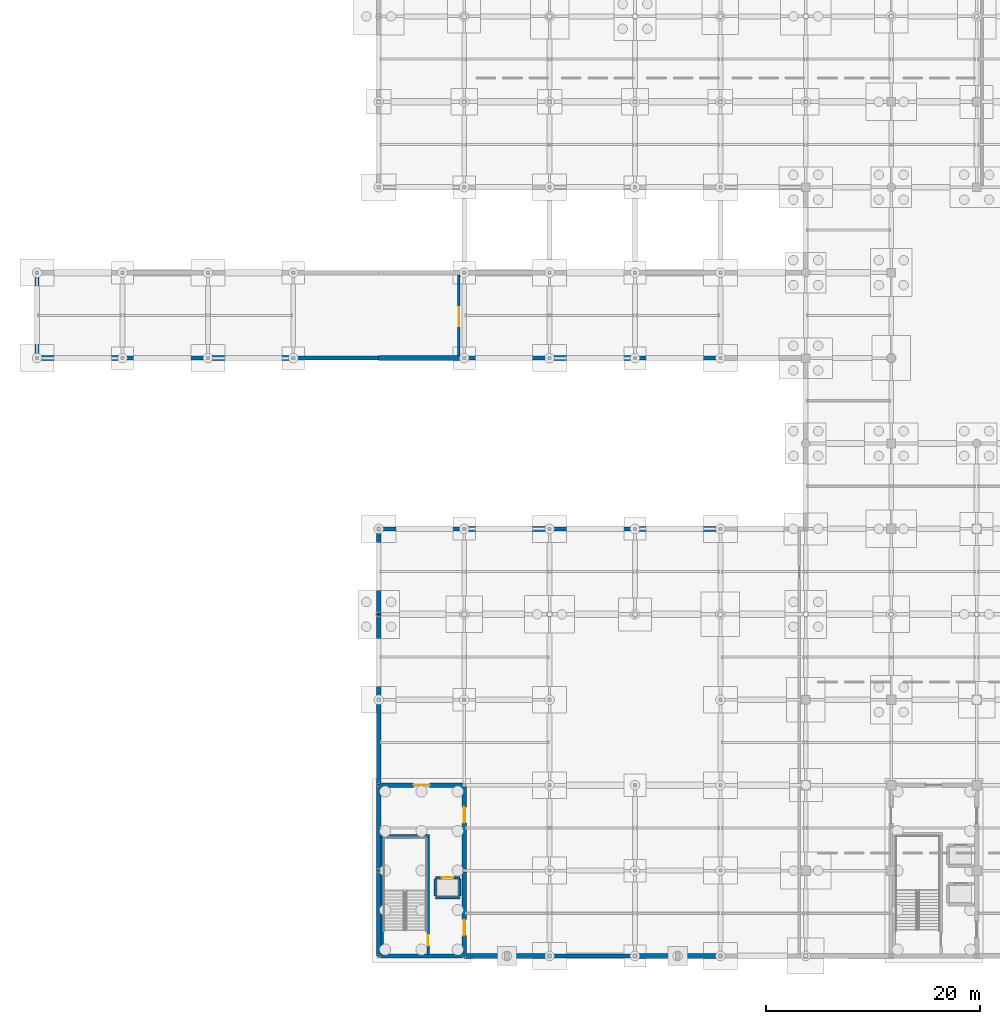
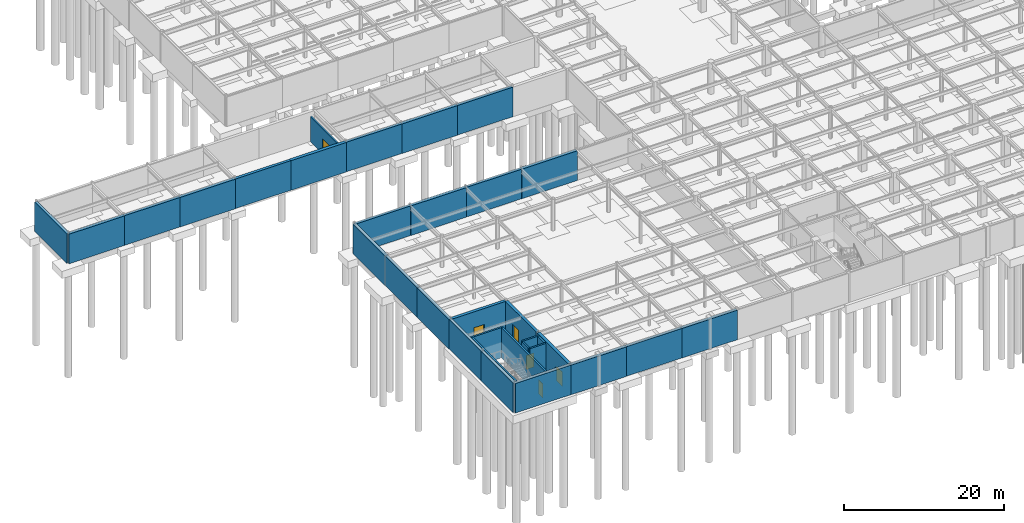
# One storey, part 56 of 105: 33 walls, 6 doors, 6 openings.
"""IFC4 building model written with IfcOpenShell, lengths in metres."""

from ifc_helpers import new_model, si_unit, direction, frame, frame_2d, origin, place, context, subcontext, project, spatial, rectangle, extrude, material, layer, layer_set, type_object, element, fill, save


model = new_model("IFC4")

# Units and contexts
model_context = context("Model", 3, precision=1e-05, world=origin(), true_north=direction((0.0, 1.0)))
body_context = subcontext(model_context, "Body", "Model", "MODEL_VIEW")
ifc_project = project(units=[si_unit("LENGTHUNIT", "METRE"), si_unit("AREAUNIT", "SQUARE_METRE"), si_unit("VOLUMEUNIT", "CUBIC_METRE"), si_unit("PLANEANGLEUNIT", "RADIAN"), si_unit("MASSUNIT", "GRAM", prefix="KILO")], contexts=[model_context])

# Site, building, storey
site_placement = place(None, origin())
site = spatial("IfcSite", under=ifc_project, at=site_placement, CompositionType="ELEMENT")
building_placement = place(site_placement, origin())
building = spatial("IfcBuilding", under=site, at=building_placement, Name="Solmirada Galleria", CompositionType="ELEMENT")
storey_placement = place(building_placement, frame((0.0, 0.0, -4.800048828125)))
storey = spatial("IfcBuildingStorey", under=building, at=storey_placement, Name="B1", CompositionType="ELEMENT", Elevation=-4.800048828125)

# Wall, opening, door
ifc_material_1 = material(Name="Concrete C40/50", Category="concrete")
ifc_layer_1 = layer(ifc_material_1, 0.419921875)
ifc_layer_set_1 = layer_set([ifc_layer_1], Name="Concrete C40/50")
wall_type_1 = type_object("IfcWallType", Name="WL-CORE-420", PredefinedType="SHEAR", material=ifc_layer_set_1)
wall_1_placement = place(storey_placement, frame((40.152587890625, 16.0, 0.0), z_axis=(0.0, 0.0, 1.0), x_axis=(1.0, 0.0, 0.0)))
wall_1 = element("IfcWall", 1, at=wall_1_placement, inside=storey, type_object=wall_type_1, Name="Core C5 shear wall B1 N1", PredefinedType="SHEAR", context=body_context, shape_type="SweptSolid", body=[
    extrude(rectangle(XDim=7.720458984375, YDim=0.419921875, at=frame_2d((3.8603515625, 0.0))), origin(), (0.0, 0.0, 1.0), 4.580078125),
])
opening_1_placement = place(wall_1_placement, frame((3.110107421875, 0.0, 0.0)))
opening_1 = element("IfcOpeningElement", 2, at=opening_1_placement, cuts=wall_1, Name="Opening LDY-224", PredefinedType="OPENING", context=body_context, shape_type="SweptSolid", body=[
    extrude(rectangle(XDim=1.5, YDim=2.14990234375, at=frame_2d((0.75, 1.074951171875))), frame((0.0, 0.219970703125, 0.0), z_axis=(0.0, -1.0, 0.0), x_axis=(1.0, 0.0, 0.0)), (0.0, 0.0, 1.0), 0.43994140625),
])
ifc_material_2 = material(Name="Fire-rated painted steel door assembly", Category="steel")
door_type_1 = type_object("IfcDoorType", Name="DR-LOBBY-150X215", OperationType="DOUBLE_DOOR_SINGLE_SWING", PredefinedType="DOOR", material=ifc_material_2)
door_1_placement = place(opening_1_placement, origin())
door_1 = element("IfcDoor", 3, at=door_1_placement, inside=storey, type_object=door_type_1, Name="Core C5 lobby access fire door LDY-224", OperationType="DOUBLE_DOOR_SINGLE_SWING", OverallHeight=2.14990234375, OverallWidth=1.5, PredefinedType="DOOR", context=body_context, shape_type="SweptSolid", body=[
    extrude(rectangle(XDim=1.5, YDim=2.14990234375, at=frame_2d((0.75, 1.074951171875))), frame((0.0, 0.02490234375, 0.0), z_axis=(0.0, -1.0, 0.0), x_axis=(1.0, 0.0, 0.0)), (0.0, 0.0, 1.0), 0.050048828125),
])
fill(opening_1, door_1)

wall_2_placement = place(storey_placement, frame((48.0, 0.152587890625, 0.0), z_axis=(0.0, 0.0, 1.0), x_axis=(0.0, 1.0, 0.0)))
wall_2 = element("IfcWall", 4, at=wall_2_placement, inside=storey, type_object=wall_type_1, Name="Core C5 shear wall B1 E1", PredefinedType="SHEAR", context=body_context, shape_type="SweptSolid", body=[
    extrude(rectangle(XDim=7.720458984375, YDim=0.419921875, at=frame_2d((3.8603515625, 0.0))), origin(), (0.0, 0.0, 1.0), 4.580078125),
])
opening_2_placement = place(wall_2_placement, frame((1.7490234375, 0.0, 0.0)))
opening_2 = element("IfcOpeningElement", 5, at=opening_2_placement, cuts=wall_2, Name="Opening LDY-225", PredefinedType="OPENING", context=body_context, shape_type="SweptSolid", body=[
    extrude(rectangle(XDim=1.5, YDim=2.14990234375, at=frame_2d((0.75, 1.074951171875))), frame((0.0, 0.219970703125, 0.0), z_axis=(0.0, -1.0, 0.0), x_axis=(1.0, 0.0, 0.0)), (0.0, 0.0, 1.0), 0.43994140625),
])
door_2_placement = place(opening_2_placement, origin())
door_2 = element("IfcDoor", 6, at=door_2_placement, inside=storey, type_object=door_type_1, Name="Core C5 lobby access fire door LDY-225", OperationType="DOUBLE_DOOR_SINGLE_SWING", OverallHeight=2.14990234375, OverallWidth=1.5, PredefinedType="DOOR", context=body_context, shape_type="SweptSolid", body=[
    extrude(rectangle(XDim=1.5, YDim=2.14990234375, at=frame_2d((0.75, 1.074951171875))), frame((0.0, 0.02490234375, 0.0), z_axis=(0.0, -1.0, 0.0), x_axis=(1.0, 0.0, 0.0)), (0.0, 0.0, 1.0), 0.050048828125),
])
fill(opening_2, door_2)

wall_3_placement = place(storey_placement, frame((48.0, 8.126953125, 0.0), z_axis=(0.0, 0.0, 1.0), x_axis=(0.0, 1.0, 0.0)))
wall_3 = element("IfcWall", 7, at=wall_3_placement, inside=storey, type_object=wall_type_1, Name="Core C5 shear wall B1 E2", PredefinedType="SHEAR", context=body_context, shape_type="SweptSolid", body=[
    extrude(rectangle(XDim=7.74609375, YDim=0.419921875, at=frame_2d((3.873046875, 0.0))), origin(), (0.0, 0.0, 1.0), 4.580078125),
])
opening_3_placement = place(wall_3_placement, frame((4.3349609375, 0.0, 0.0)))
opening_3 = element("IfcOpeningElement", 8, at=opening_3_placement, cuts=wall_3, Name="Opening LDY-226", PredefinedType="OPENING", context=body_context, shape_type="SweptSolid", body=[
    extrude(rectangle(XDim=1.5, YDim=2.14990234375, at=frame_2d((0.75, 1.074951171875))), frame((0.0, 0.219970703125, 0.0), z_axis=(0.0, -1.0, 0.0), x_axis=(1.0, 0.0, 0.0)), (0.0, 0.0, 1.0), 0.43994140625),
])
door_3_placement = place(opening_3_placement, origin())
door_3 = element("IfcDoor", 9, at=door_3_placement, inside=storey, type_object=door_type_1, Name="Core C5 lobby access fire door LDY-226", OperationType="DOUBLE_DOOR_SINGLE_SWING", OverallHeight=2.14990234375, OverallWidth=1.5, PredefinedType="DOOR", context=body_context, shape_type="SweptSolid", body=[
    extrude(rectangle(XDim=1.5, YDim=2.14990234375, at=frame_2d((0.75, 1.074951171875))), frame((0.0, 0.02490234375, 0.0), z_axis=(0.0, -1.0, 0.0), x_axis=(1.0, 0.0, 0.0)), (0.0, 0.0, 1.0), 0.050048828125),
])
fill(opening_3, door_3)

ifc_layer_2 = layer(ifc_material_1, 0.239990234375)
ifc_layer_set_2 = layer_set([ifc_layer_2], Name="Concrete C40/50")
wall_type_2 = type_object("IfcWallType", Name="WL-HOIST-240", PredefinedType="PARTITIONING", material=ifc_layer_set_2)
wall_4_placement = place(storey_placement, frame((45.294921875, 7.330078125, 0.0), z_axis=(0.0, 0.0, 1.0), x_axis=(1.0, 0.0, 0.0)))
wall_4 = element("IfcWall", 10, at=wall_4_placement, inside=storey, type_object=wall_type_2, Name="Lift LP5 hoistway front wall B1", PredefinedType="PARTITIONING", context=body_context, shape_type="SweptSolid", body=[
    extrude(rectangle(XDim=2.31005859375, YDim=0.239990234375, at=frame_2d((1.155029296875, 0.0))), origin(), (0.0, 0.0, 1.0), 4.580078125),
])
opening_4_placement = place(wall_4_placement, frame((0.60498046875, 0.0, 0.0)))
opening_4 = element("IfcOpeningElement", 11, at=opening_4_placement, cuts=wall_4, Name="Opening LD-LP5-B1", PredefinedType="OPENING", context=body_context, shape_type="SweptSolid", body=[
    extrude(rectangle(XDim=1.10009765625, YDim=2.14990234375, at=frame_2d((0.550048828125, 1.074951171875))), frame((0.0, 0.1298828125, 0.0), z_axis=(0.0, -1.0, 0.0), x_axis=(1.0, 0.0, 0.0)), (0.0, 0.0, 1.0), 0.260009765625),
])
ifc_material_3 = material(Name="Brushed stainless-steel sliding landing door", Category="steel")
door_type_2 = type_object("IfcDoorType", Name="DR-LIFT-110X215", OperationType="SLIDING_TO_LEFT", PredefinedType="DOOR", material=ifc_material_3)
door_4_placement = place(opening_4_placement, origin())
door_4 = element("IfcDoor", 12, at=door_4_placement, inside=storey, type_object=door_type_2, Name="Lift LP5 sliding landing door B1", OperationType="SLIDING_TO_LEFT", OverallHeight=2.14990234375, OverallWidth=1.10009765625, PredefinedType="DOOR", context=body_context, shape_type="SweptSolid", body=[
    extrude(rectangle(XDim=1.10009765625, YDim=2.14990234375, at=frame_2d((0.550048828125, 1.074951171875))), frame((0.0, 0.02490234375, 0.0), z_axis=(0.0, -1.0, 0.0), x_axis=(1.0, 0.0, 0.0)), (0.0, 0.0, 1.0), 0.050048828125),
])
fill(opening_4, door_4)

# Walls
wall_5_placement = place(storey_placement, frame((45.294921875, 5.469970703125, 0.0), z_axis=(0.0, 0.0, 1.0), x_axis=(1.0, 0.0, 0.0)))
element("IfcWall", 13, at=wall_5_placement, inside=storey, type_object=wall_type_2, Name="Lift LP5 hoistway rear wall B1", PredefinedType="PARTITIONING", context=body_context, shape_type="SweptSolid", body=[
    extrude(rectangle(XDim=2.31005859375, YDim=0.239990234375, at=frame_2d((1.155029296875, 0.0))), origin(), (0.0, 0.0, 1.0), 4.580078125),
])
for number, where, z_axis, x_axis, name in (
    (14, (45.294921875, 5.610107421875, 0.0), (0.0, 0.0, 1.0), (0.0, 1.0, 0.0), "Lift LP5 hoistway side wall L B1"),
    (15, (47.60498046875, 5.610107421875, 0.0), (0.0, 0.0, 1.0), (0.0, 1.0, 0.0), "Lift LP5 hoistway side wall R B1"),
):
    element("IfcWall", number, at=place(storey_placement, frame(where, z_axis=z_axis, x_axis=x_axis)), inside=storey, type_object=wall_type_2, Name=name, PredefinedType="PARTITIONING", context=body_context, shape_type="SweptSolid", body=[
        extrude(rectangle(XDim=1.579833984375, YDim=0.239990234375, at=frame_2d((0.7900390625, 0.0))), origin(), (0.0, 0.0, 1.0), 4.580078125),
    ])

# Wall, opening, door
ifc_material_4 = material(Name="Fire-rated gypsum and steel-stud partition", Category="steel")
ifc_layer_3 = layer(ifc_material_4, 0.219970703125)
ifc_layer_set_3 = layer_set([ifc_layer_3], Name="Fire-rated gypsum and steel-stud partition")
wall_type_3 = type_object("IfcWallType", Name="WL-PART-220", PredefinedType="PARTITIONING", material=ifc_layer_set_3)
wall_6_placement = place(storey_placement, frame((47.5, 56.199951171875, 0.0), z_axis=(0.0, 0.0, 1.0), x_axis=(0.0, 1.0, 0.0)))
wall_6 = element("IfcWall", 16, at=wall_6_placement, inside=storey, type_object=wall_type_3, Name="Partition B1-001 (West Service Stockroom)", PredefinedType="PARTITIONING", context=body_context, shape_type="SweptSolid", body=[
    extrude(rectangle(XDim=7.60009765625, YDim=0.219970703125, at=frame_2d((3.800048828125, 0.0))), origin(), (0.0, 0.0, 1.0), 3.780029296875),
])
opening_5_placement = place(wall_6_placement, frame((2.779052734375, 0.0, 0.0)))
opening_5 = element("IfcOpeningElement", 17, at=opening_5_placement, cuts=wall_6, Name="Opening ID-258", PredefinedType="OPENING", context=body_context, shape_type="SweptSolid", body=[
    extrude(rectangle(XDim=1.800048828125, YDim=2.25, at=frame_2d((0.89990234375, 1.125))), frame((0.0, 0.119873046875, 0.0), z_axis=(0.0, -1.0, 0.0), x_axis=(1.0, 0.0, 0.0)), (0.0, 0.0, 1.0), 0.239990234375),
])
door_type_3 = type_object("IfcDoorType", Name="DR-STOCK-180X225", OperationType="DOUBLE_DOOR_SINGLE_SWING", PredefinedType="DOOR", material=ifc_material_2)
door_5_placement = place(opening_5_placement, origin())
door_5 = element("IfcDoor", 18, at=door_5_placement, inside=storey, type_object=door_type_3, Name="West Service Stockroom door ID-258", OperationType="DOUBLE_DOOR_SINGLE_SWING", OverallHeight=2.25, OverallWidth=1.800048828125, PredefinedType="DOOR", context=body_context, shape_type="SweptSolid", body=[
    extrude(rectangle(XDim=1.800048828125, YDim=2.25, at=frame_2d((0.89990234375, 1.125))), frame((0.0, 0.02490234375, 0.0), z_axis=(0.0, -1.0, 0.0), x_axis=(1.0, 0.0, 0.0)), (0.0, 0.0, 1.0), 0.050048828125),
])
fill(opening_5, door_5)

# Walls
ifc_material_5 = material(Name="Concrete C35/45", Category="concrete")
ifc_layer_4 = layer(ifc_material_5, 0.39990234375)
ifc_layer_set_4 = layer_set([ifc_layer_4], Name="Concrete C35/45")
wall_type_4 = type_object("IfcWallType", Name="WL-RET-400", PredefinedType="USERDEFINED", material=ifc_layer_set_4)
for number, where, z_axis, x_axis, name in (
    (19, (64.0, 0.0, 0.0), (0.0, 0.0, 1.0), (-1.0, 0.0, 0.0), "Basement retaining wall 015"),
    (20, (48.0, 0.0, 0.0), (0.0, 0.0, 1.0), (-1.0, 0.0, 0.0), "Basement retaining wall 017"),
    (21, (40.0, 8.0, 0.0), (0.0, 0.0, 1.0), (0.0, 1.0, 0.0), "Basement retaining wall 019"),
    (22, (40.0, 24.0, 0.0), (0.0, 0.0, 1.0), (0.0, 1.0, 0.0), "Basement retaining wall 021"),
    (23, (40.0, 40.0, 0.0), (0.0, 0.0, 1.0), (1.0, 0.0, 0.0), "Basement retaining wall 023"),
    (24, (56.0, 40.0, 0.0), (0.0, 0.0, 1.0), (1.0, 0.0, 0.0), "Basement retaining wall 025"),
    (25, (72.0, 56.0, 0.0), (0.0, 0.0, 1.0), (-1.0, 0.0, 0.0), "Basement retaining wall 031"),
    (26, (56.0, 56.0, 0.0), (0.0, 0.0, 1.0), (-1.0, 0.0, 0.0), "Basement retaining wall 033"),
    (27, (40.0, 56.0, 0.0), (0.0, 0.0, 1.0), (-1.0, 0.0, 0.0), "Basement retaining wall 035"),
    (28, (24.0, 56.0, 0.0), (0.0, 0.0, 1.0), (-1.0, 0.0, 0.0), "Basement retaining wall 037"),
    (29, (8.0, 56.0, 0.0), (0.0, 0.0, 1.0), (0.0, 1.0, 0.0), "Basement retaining wall 039"),
):
    element("IfcWall", number, at=place(storey_placement, frame(where, z_axis=z_axis, x_axis=x_axis)), inside=storey, type_object=wall_type_4, Name=name, ObjectType="RETAININGWALL", PredefinedType="USERDEFINED", context=body_context, shape_type="SweptSolid", body=[
        extrude(rectangle(XDim=8.0, YDim=0.39990234375, at=frame_2d((4.0, 0.0))), origin(), (0.0, 0.0, 1.0), 4.5),
    ])
ifc_layer_5 = layer(ifc_material_5, 0.449951171875)
ifc_layer_set_5 = layer_set([ifc_layer_5], Name="Concrete C35/45")
wall_type_5 = type_object("IfcWallType", Name="WL-RET-450", PredefinedType="USERDEFINED", material=ifc_layer_set_5)
for number, where, z_axis, x_axis, name in (
    (30, (72.0, 0.0, 0.0), (0.0, 0.0, 1.0), (-1.0, 0.0, 0.0), "Basement retaining wall 014"),
    (31, (56.0, 0.0, 0.0), (0.0, 0.0, 1.0), (-1.0, 0.0, 0.0), "Basement retaining wall 016"),
    (32, (40.0, 0.0, 0.0), (0.0, 0.0, 1.0), (0.0, 1.0, 0.0), "Basement retaining wall 018"),
    (33, (40.0, 16.0, 0.0), (0.0, 0.0, 1.0), (0.0, 1.0, 0.0), "Basement retaining wall 020"),
    (34, (40.0, 32.0, 0.0), (0.0, 0.0, 1.0), (0.0, 1.0, 0.0), "Basement retaining wall 022"),
    (35, (48.0, 40.0, 0.0), (0.0, 0.0, 1.0), (1.0, 0.0, 0.0), "Basement retaining wall 024"),
    (36, (64.0, 40.0, 0.0), (0.0, 0.0, 1.0), (1.0, 0.0, 0.0), "Basement retaining wall 026"),
    (37, (64.0, 56.0, 0.0), (0.0, 0.0, 1.0), (-1.0, 0.0, 0.0), "Basement retaining wall 032"),
    (38, (48.0, 56.0, 0.0), (0.0, 0.0, 1.0), (-1.0, 0.0, 0.0), "Basement retaining wall 034"),
    (39, (32.0, 56.0, 0.0), (0.0, 0.0, 1.0), (-1.0, 0.0, 0.0), "Basement retaining wall 036"),
    (40, (16.0, 56.0, 0.0), (0.0, 0.0, 1.0), (-1.0, 0.0, 0.0), "Basement retaining wall 038"),
):
    element("IfcWall", number, at=place(storey_placement, frame(where, z_axis=z_axis, x_axis=x_axis)), inside=storey, type_object=wall_type_5, Name=name, ObjectType="RETAININGWALL", PredefinedType="USERDEFINED", context=body_context, shape_type="SweptSolid", body=[
        extrude(rectangle(XDim=8.0, YDim=0.449951171875, at=frame_2d((4.0, 0.0))), origin(), (0.0, 0.0, 1.0), 4.5),
    ])
ifc_layer_6 = layer(ifc_material_1, 0.260009765625)
ifc_layer_set_6 = layer_set([ifc_layer_6], Name="Concrete C40/50")
wall_type_6 = type_object("IfcWallType", Name="WL-SHAFT-260", PredefinedType="SHEAR", material=ifc_layer_set_6)
wall_7_placement = place(storey_placement, frame((40.199951171875, 11.22998046875, 0.0), z_axis=(0.0, 0.0, 1.0), x_axis=(1.0, 0.0, 0.0)))
element("IfcWall", 41, at=wall_7_placement, inside=storey, type_object=wall_type_6, Name="Stair ST5 enclosure wall B1 N", PredefinedType="SHEAR", context=body_context, shape_type="SweptSolid", body=[
    extrude(rectangle(XDim=4.56005859375, YDim=0.260009765625, at=frame_2d((2.280029296875, 0.0))), origin(), (0.0, 0.0, 1.0), 4.580078125),
])
wall_8_placement = place(storey_placement, frame((40.320068359375, 0.14501953125, 0.0), z_axis=(0.0, 0.0, 1.0), x_axis=(0.0, 1.0, 0.0)))
element("IfcWall", 42, at=wall_8_placement, inside=storey, type_object=wall_type_6, Name="Stair ST5 enclosure wall B1 W", PredefinedType="SHEAR", context=body_context, shape_type="SweptSolid", body=[
    extrude(rectangle(XDim=10.955078125, YDim=0.260009765625, at=frame_2d((5.4775390625, 0.0))), origin(), (0.0, 0.0, 1.0), 4.580078125),
])

# Wall, opening, door
wall_9_placement = place(storey_placement, frame((44.6298828125, 0.14501953125, 0.0), z_axis=(0.0, 0.0, 1.0), x_axis=(0.0, 1.0, 0.0)))
wall_9 = element("IfcWall", 43, at=wall_9_placement, inside=storey, type_object=wall_type_6, Name="Stair ST5 enclosure wall B1 E", PredefinedType="SHEAR", context=body_context, shape_type="SweptSolid", body=[
    extrude(rectangle(XDim=10.955078125, YDim=0.260009765625, at=frame_2d((5.4775390625, 0.0))), origin(), (0.0, 0.0, 1.0), 4.580078125),
])
opening_6_placement = place(wall_9_placement, frame((0.804931640625, 0.0, 0.0)))
opening_6 = element("IfcOpeningElement", 44, at=opening_6_placement, cuts=wall_9, Name="Opening SD-223", PredefinedType="OPENING", context=body_context, shape_type="SweptSolid", body=[
    extrude(rectangle(XDim=1.050048828125, YDim=2.14990234375, at=frame_2d((0.52490234375, 1.074951171875))), frame((0.0, 0.139892578125, 0.0), z_axis=(0.0, -1.0, 0.0), x_axis=(1.0, 0.0, 0.0)), (0.0, 0.0, 1.0), 0.280029296875),
])
door_type_4 = type_object("IfcDoorType", Name="DR-STAIR-105X215", OperationType="NOTDEFINED", PredefinedType="DOOR", material=ifc_material_2)
door_6_placement = place(opening_6_placement, origin())
door_6 = element("IfcDoor", 45, at=door_6_placement, inside=storey, type_object=door_type_4, Name="Exit stair ST5 enclosure fire door SD-223", OperationType="SINGLE_SWING_LEFT", OverallHeight=2.14990234375, OverallWidth=1.050048828125, PredefinedType="DOOR", context=body_context, shape_type="SweptSolid", body=[
    extrude(rectangle(XDim=1.050048828125, YDim=2.14990234375, at=frame_2d((0.52490234375, 1.074951171875))), frame((0.0, 0.02490234375, 0.0), z_axis=(0.0, -1.0, 0.0), x_axis=(1.0, 0.0, 0.0)), (0.0, 0.0, 1.0), 0.050048828125),
])
fill(opening_6, door_6)

save(model, "model.ifc")
